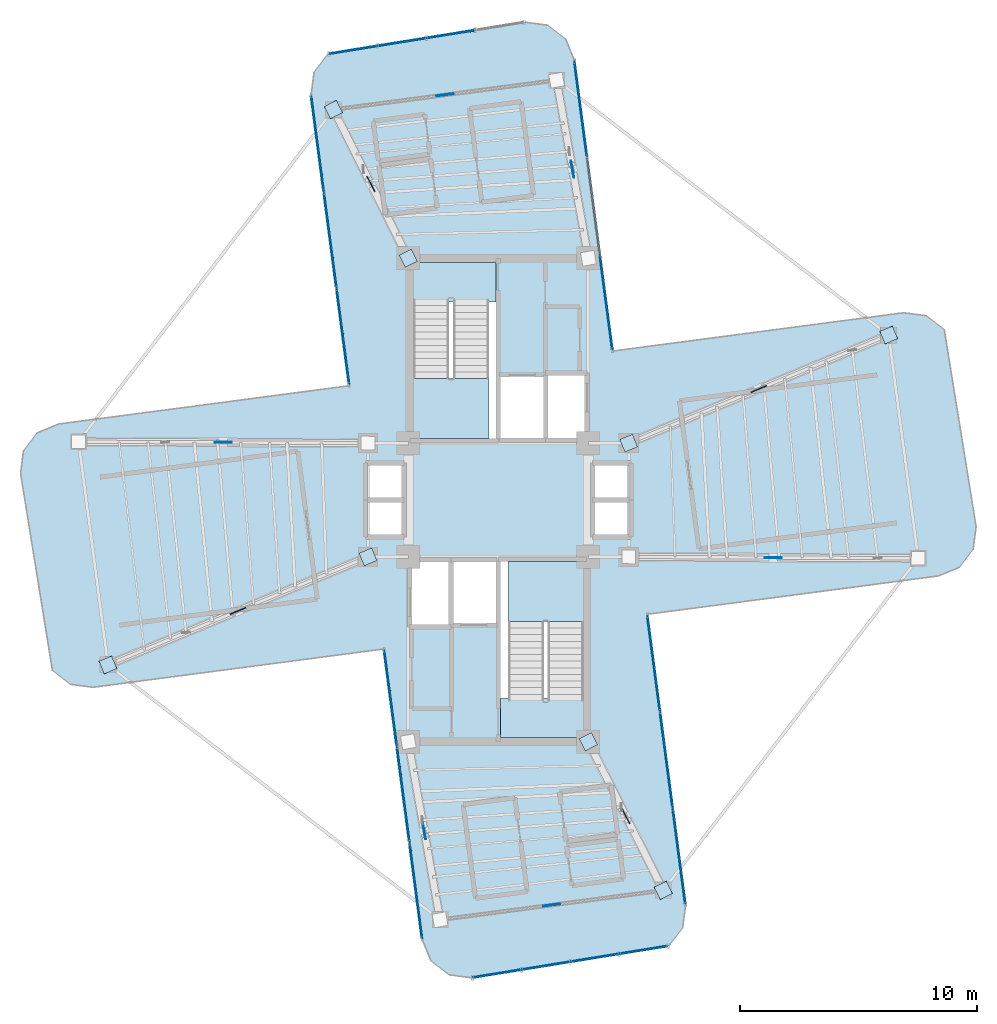
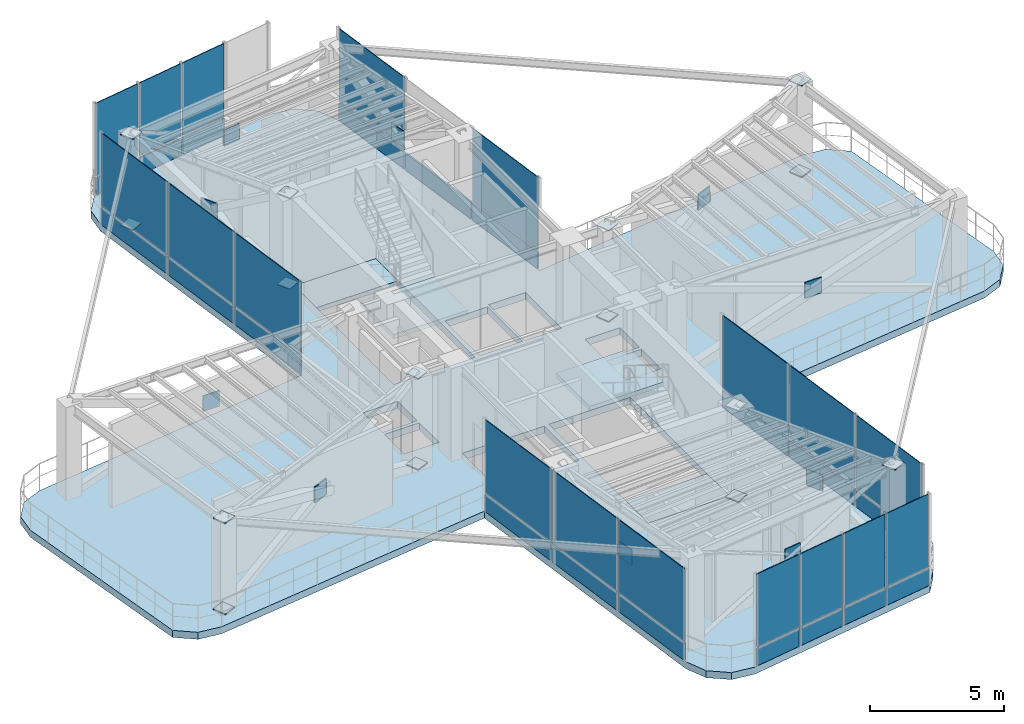
# One storey, part 11 of 17: 63 plates, 5 slabs, 8 elements without a shape of their own.
"""IFC4 building model written with IfcOpenShell, lengths in metres."""

from ifc_helpers import new_model, si_unit, direction, frame, origin, origin_2d, place, context, subcontext, project, spatial, polyline, rectangle, outline, extrude, source, transform, mapped, material, layer, layer_set, type_object, element, aggregate, save


model = new_model("IFC4")

# Units and contexts
model_context = context("Model", 3, precision=1e-05, world=origin(), true_north=direction((0.0, 1.0)))
body_context = subcontext(model_context, "Body", "Model", "MODEL_VIEW")
ifc_project = project(units=[si_unit("LENGTHUNIT", "METRE"), si_unit("AREAUNIT", "SQUARE_METRE"), si_unit("VOLUMEUNIT", "CUBIC_METRE"), si_unit("PLANEANGLEUNIT", "RADIAN"), si_unit("MASSUNIT", "GRAM", prefix="KILO")], contexts=[model_context])

# Site, building, storey
site_placement = place(None, origin())
site = spatial("IfcSite", under=ifc_project, at=site_placement, CompositionType="ELEMENT")
building_placement = place(site_placement, origin())
building = spatial("IfcBuilding", under=site, at=building_placement, Name="Sahyath Konkavel Grand Hotel", CompositionType="ELEMENT")
storey_placement = place(building_placement, frame((0.0, 0.0, 264.60009765625)))
storey = spatial("IfcBuildingStorey", under=building, at=storey_placement, Name="L74", CompositionType="ELEMENT", Elevation=264.60009765625)

# Slab
ifc_material_1 = material(Name="Concrete C50/60", Category="concrete")
ifc_layer_1 = layer(ifc_material_1, 0.320068359375)
ifc_layer_set_1 = layer_set([ifc_layer_1], Name="Concrete C50/60")
slab_type_1 = type_object("IfcSlabType", Name="SLB-320", PredefinedType="FLOOR", material=ifc_layer_set_1)
slab_1_placement = place(storey_placement, frame((0.0, 0.0, -0.320068359375)))
element("IfcSlab", 1, at=slab_1_placement, inside=storey, type_object=slab_type_1, Name="L74 Structural Floor Slab", PredefinedType="FLOOR", context=body_context, shape_type="SweptSolid", body=[
    extrude(outline(polyline([(6.282958984375, -4.821044921875), (18.56689453125, -3.203857421875), (19.451904296875, -2.83740234375), (20.03466796875, -2.07763671875), (20.15966796875, -1.12841796875), (18.814208984375, 7.1923828125), (18.0546875, 7.775390625), (17.10498046875, 7.900390625), (4.821044921875, 6.282958984375), (3.203857421875, 18.56689453125), (2.83740234375, 19.451904296875), (2.07763671875, 20.03466796875), (1.12841796875, 20.15966796875), (-7.1923828125, 18.814208984375), (-7.775390625, 18.0546875), (-7.900390625, 17.10498046875), (-6.282958984375, 4.821044921875), (-18.56689453125, 3.203857421875), (-19.451904296875, 2.83740234375), (-20.03466796875, 2.07763671875), (-20.15966796875, 1.12841796875), (-18.814208984375, -7.1923828125), (-18.0546875, -7.775390625), (-17.10498046875, -7.900390625), (-4.821044921875, -6.282958984375), (-3.203857421875, -18.56689453125), (-2.83740234375, -19.451904296875), (-2.07763671875, -20.03466796875), (-1.12841796875, -20.15966796875), (7.1923828125, -18.814208984375), (7.775390625, -18.0546875), (7.900390625, -17.10498046875), (6.282958984375, -4.821044921875)]), holes=[polyline([(-3.6201171875, 2.580078125), (-0.10009765625, 2.580078125), (-0.10009765625, 10.02001953125), (-3.6201171875, 10.02001953125), (-3.6201171875, 2.580078125)]), polyline([(0.10009765625, -10.02001953125), (3.6201171875, -10.02001953125), (3.6201171875, -2.580078125), (0.10009765625, -2.580078125), (0.10009765625, -10.02001953125)]), polyline([(0.10009765625, 2.60009765625), (1.949951171875, 2.60009765625), (1.949951171875, 5.199951171875), (0.10009765625, 5.199951171875), (0.10009765625, 2.60009765625)]), polyline([(-1.949951171875, -5.199951171875), (-0.10009765625, -5.199951171875), (-0.10009765625, -2.60009765625), (-1.949951171875, -2.60009765625), (-1.949951171875, -5.199951171875)]), polyline([(2.050048828125, 2.60009765625), (3.64990234375, 2.60009765625), (3.64990234375, 5.300048828125), (2.050048828125, 5.300048828125), (2.050048828125, 2.60009765625)]), polyline([(-3.64990234375, -5.300048828125), (-2.050048828125, -5.300048828125), (-2.050048828125, -2.60009765625), (-3.64990234375, -2.60009765625), (-3.64990234375, -5.300048828125)]), polyline([(4.050048828125, 0.080078125), (5.550048828125, 0.080078125), (5.550048828125, 1.5400390625), (4.050048828125, 1.5400390625), (4.050048828125, 0.080078125)]), polyline([(4.050048828125, -1.5400390625), (5.550048828125, -1.5400390625), (5.550048828125, -0.080078125), (4.050048828125, -0.080078125), (4.050048828125, -1.5400390625)]), polyline([(-5.550048828125, 0.080078125), (-4.050048828125, 0.080078125), (-4.050048828125, 1.5400390625), (-5.550048828125, 1.5400390625), (-5.550048828125, 0.080078125)]), polyline([(-5.550048828125, -1.5400390625), (-4.050048828125, -1.5400390625), (-4.050048828125, -0.080078125), (-5.550048828125, -0.080078125), (-5.550048828125, -1.5400390625)])]), origin(), (0.0, 0.0, 1.0), 0.320068359375),
])

# Stair, slab
ifc_material_2 = material(Name="Concrete C40/50", Category="concrete")
stair_type = type_object("IfcStairType", Name="STR-ST16-450", PredefinedType="HALF_TURN_STAIR", material=ifc_material_2)
stair_1_placement = place(storey_placement, origin())
stair_1 = element("IfcStair", 2, at=stair_1_placement, inside=storey, type_object=stair_type, Name="L74 North Core Smokeproof Exit Stair ST-1", PredefinedType="HALF_TURN_STAIR")
ifc_layer_2 = layer(ifc_material_2, 0.199951171875)
ifc_layer_set_2 = layer_set([ifc_layer_2], Name="Concrete C40/50")
slab_type_2 = type_object("IfcSlabType", Name="SLB-STAIR-LND", PredefinedType="LANDING", material=ifc_layer_set_2)
slab_2_placement = place(storey_placement, frame((0.0, 0.0, 2.0498046875)))
slab_2 = element("IfcSlab", 3, at=slab_2_placement, type_object=slab_type_2, Name="ST-1 landing 1", PredefinedType="LANDING", context=body_context, shape_type="SweptSolid", body=[
    extrude(outline(polyline([(-3.60009765625, 5.1201171875), (-3.60009765625, 2.60009765625), (-0.39990234375, 2.60009765625), (-0.39990234375, 5.1201171875), (-3.60009765625, 5.1201171875)])), origin(), (0.0, 0.0, 1.0), 0.2001953125),
])
aggregate(stair_1, [slab_2])

stair_2_placement = place(storey_placement, origin())
stair_2 = element("IfcStair", 4, at=stair_2_placement, inside=storey, type_object=stair_type, Name="L74 South Core Smokeproof Exit Stair ST-2", PredefinedType="HALF_TURN_STAIR")
slab_3_placement = place(storey_placement, frame((0.0, 0.0, 2.0498046875)))
slab_3 = element("IfcSlab", 5, at=slab_3_placement, type_object=slab_type_2, Name="ST-2 landing 1", PredefinedType="LANDING", context=body_context, shape_type="SweptSolid", body=[
    extrude(outline(polyline([(3.60009765625, -5.1201171875), (3.60009765625, -2.60009765625), (0.39990234375, -2.60009765625), (0.39990234375, -5.1201171875), (3.60009765625, -5.1201171875)])), origin(), (0.0, 0.0, 1.0), 0.2001953125),
])
aggregate(stair_2, [slab_3])

# Slabs
slab_4_placement = place(storey_placement, frame((0.0, 0.0, -0.2001953125)))
element("IfcSlab", 6, at=slab_4_placement, inside=storey, type_object=slab_type_2, Name="L74 Stair ST-1 Floor Landing Slab", PredefinedType="LANDING", context=body_context, shape_type="SweptSolid", body=[
    extrude(outline(polyline([(-3.6201171875, 8.35009765625), (-0.10009765625, 8.35009765625), (-0.10009765625, 10.02001953125), (-3.6201171875, 10.02001953125), (-3.6201171875, 8.35009765625)])), origin(), (0.0, 0.0, 1.0), 0.2001953125),
])
slab_5_placement = place(storey_placement, frame((0.0, 0.0, -0.2001953125)))
element("IfcSlab", 7, at=slab_5_placement, inside=storey, type_object=slab_type_2, Name="L74 Stair ST-2 Floor Landing Slab", PredefinedType="LANDING", context=body_context, shape_type="SweptSolid", body=[
    extrude(outline(polyline([(0.10009765625, -10.02001953125), (3.6201171875, -10.02001953125), (3.6201171875, -8.35009765625), (0.10009765625, -8.35009765625), (0.10009765625, -10.02001953125)])), origin(), (0.0, 0.0, 1.0), 0.2001953125),
])

# Plates
ifc_material_3 = material(Name="Steel E450", Category="steel")
plate_type_1 = type_object("IfcPlateType", Name="GUSSET-NODE-40", PredefinedType="USERDEFINED", material=ifc_material_3)
shared_shape_1 = source(origin(), body_context, "Body", "SweptSolid", [
    extrude(rectangle(XDim=0.719970703125, YDim=0.0400390625, at=origin_2d()), origin(), (0.0, 0.0, 1.0), 0.719970703125),
])
for number, where, z_axis, x_axis, name in (
    (8, (11.606201171875, -2.429443359375, 1.77001953125), (0.0, 0.0, 1.0), (0.999988313528, -0.004834543195, 0.0), "L74 Core Outrigger Truss EA X-Crossing Node Gusset Plate"),
    (9, (10.986328125, 4.6796875, 1.77001953125), (0.0, 0.0, 1.0), (0.923444797501, 0.383731293965, 0.0), "L74 Core Outrigger Truss EB X-Crossing Node Gusset Plate"),
    (10, (3.129638671875, 13.956298828125, 1.77001953125), (0.0, 0.0, 1.0), (-0.175710371841, 0.984441905461, 0.0), "L74 Core Outrigger Truss NA X-Crossing Node Gusset Plate"),
    (11, (-5.3798828125, 13.336181640625, 1.77001953125), (0.0, 0.0, 1.0), (-0.449864644275, 0.893096748304, 0.0), "L74 Core Outrigger Truss NB X-Crossing Node Gusset Plate"),
    (12, (-11.606201171875, 2.429443359375, 1.77001953125), (0.0, 0.0, 1.0), (-0.999988313528, 0.004834543195, 0.0), "L74 Core Outrigger Truss WA X-Crossing Node Gusset Plate"),
    (13, (-10.986328125, -4.6796875, 1.77001953125), (0.0, 0.0, 1.0), (-0.923444797501, -0.383731293965, 0.0), "L74 Core Outrigger Truss WB X-Crossing Node Gusset Plate"),
    (14, (-3.129638671875, -13.956298828125, 1.77001953125), (0.0, 0.0, 1.0), (0.175710371841, -0.984441905461, 0.0), "L74 Core Outrigger Truss SA X-Crossing Node Gusset Plate"),
    (15, (5.3798828125, -13.336181640625, 1.77001953125), (0.0, 0.0, 1.0), (0.449864644275, -0.893096748304, 0.0), "L74 Core Outrigger Truss SB X-Crossing Node Gusset Plate"),
    (16, (-2.250244140625, 17.092529296875, 1.77001953125), (0.0, 0.0, 1.0), (-0.991444861374, -0.13052619222, 0.0), "L74 Perimeter Belt Truss TIP-N X-Crossing Node Gusset Plate"),
    (17, (2.250244140625, -17.092529296875, 1.77001953125), (0.0, 0.0, 1.0), (0.991444861374, 0.13052619222, 0.0), "L74 Perimeter Belt Truss TIP-S X-Crossing Node Gusset Plate"),
):
    element("IfcPlate", number, at=place(storey_placement, frame(where, z_axis=z_axis, x_axis=x_axis)), inside=storey, type_object=plate_type_1, Name=name, ObjectType="GUSSET_PLATE", PredefinedType="USERDEFINED", context=body_context, shape_type="MappedRepresentation", body=[
        mapped(shared_shape_1, transform((0.0, 0.0, 0.0), scale=1.0)),
    ])
plate_type_2 = type_object("IfcPlateType", Name="GUSSET-END-35", PredefinedType="USERDEFINED", material=ifc_material_3)
shared_shape_2 = source(origin(), body_context, "Body", "SweptSolid", [
    extrude(rectangle(XDim=0.580078125, YDim=0.580078125, at=origin_2d()), origin(), (0.0, 0.0, 1.0), 0.044921875),
])
for number, where, z_axis, x_axis, name in (
    (18, (5.5, 2.39990234375, 0.02734375), (0.0, 0.0, 1.0), (0.923444797501, 0.383731293965, 0.0), "L74 Core Outrigger Truss EB Cast-In Embed Gusset Plate BL"),
    (19, (5.5, 2.39990234375, 4.1875), (0.0, 0.0, 1.0), (0.923444797501, 0.383731293965, 0.0), "L74 Core Outrigger Truss EB Cast-In Embed Gusset Plate TL"),
    (20, (16.472412109375, 6.959716796875, 0.02734375), (0.0, 0.0, 1.0), (0.923444797501, 0.383731293965, 0.0), "L74 Core Outrigger Truss EB Cast-In Embed Gusset Plate BR"),
    (21, (16.472412109375, 6.959716796875, 4.1875), (0.0, 0.0, 1.0), (0.923444797501, 0.383731293965, 0.0), "L74 Core Outrigger Truss EB Cast-In Embed Gusset Plate TR"),
    (22, (-3.800048828125, 10.199951171875, 0.02734375), (0.0, 0.0, 1.0), (-0.449864644275, 0.893096748304, 0.0), "L74 Core Outrigger Truss NB Cast-In Embed Gusset Plate BL"),
    (23, (-3.800048828125, 10.199951171875, 4.1875), (0.0, 0.0, 1.0), (-0.449864644275, 0.893096748304, 0.0), "L74 Core Outrigger Truss NB Cast-In Embed Gusset Plate TL"),
    (24, (-6.959716796875, 16.472412109375, 0.02734375), (0.0, 0.0, 1.0), (-0.449864644275, 0.893096748304, 0.0), "L74 Core Outrigger Truss NB Cast-In Embed Gusset Plate BR"),
    (25, (-6.959716796875, 16.472412109375, 4.1875), (0.0, 0.0, 1.0), (-0.449864644275, 0.893096748304, 0.0), "L74 Core Outrigger Truss NB Cast-In Embed Gusset Plate TR"),
    (26, (-5.5, -2.39990234375, 0.02734375), (0.0, 0.0, 1.0), (-0.923444797501, -0.383731293965, 0.0), "L74 Core Outrigger Truss WB Cast-In Embed Gusset Plate BL"),
    (27, (-5.5, -2.39990234375, 4.1875), (0.0, 0.0, 1.0), (-0.923444797501, -0.383731293965, 0.0), "L74 Core Outrigger Truss WB Cast-In Embed Gusset Plate TL"),
    (28, (-16.472412109375, -6.959716796875, 0.02734375), (0.0, 0.0, 1.0), (-0.923444797501, -0.383731293965, 0.0), "L74 Core Outrigger Truss WB Cast-In Embed Gusset Plate BR"),
    (29, (-16.472412109375, -6.959716796875, 4.1875), (0.0, 0.0, 1.0), (-0.923444797501, -0.383731293965, 0.0), "L74 Core Outrigger Truss WB Cast-In Embed Gusset Plate TR"),
    (30, (3.800048828125, -10.199951171875, 0.02734375), (0.0, 0.0, 1.0), (0.449864644275, -0.893096748304, 0.0), "L74 Core Outrigger Truss SB Cast-In Embed Gusset Plate BL"),
    (31, (3.800048828125, -10.199951171875, 4.1875), (0.0, 0.0, 1.0), (0.449864644275, -0.893096748304, 0.0), "L74 Core Outrigger Truss SB Cast-In Embed Gusset Plate TL"),
    (32, (6.959716796875, -16.472412109375, 0.02734375), (0.0, 0.0, 1.0), (0.449864644275, -0.893096748304, 0.0), "L74 Core Outrigger Truss SB Cast-In Embed Gusset Plate BR"),
    (33, (6.959716796875, -16.472412109375, 4.1875), (0.0, 0.0, 1.0), (0.449864644275, -0.893096748304, 0.0), "L74 Core Outrigger Truss SB Cast-In Embed Gusset Plate TR"),
):
    element("IfcPlate", number, at=place(storey_placement, frame(where, z_axis=z_axis, x_axis=x_axis)), inside=storey, type_object=plate_type_2, Name=name, ObjectType="GUSSET_PLATE", PredefinedType="USERDEFINED", context=body_context, shape_type="MappedRepresentation", body=[
        mapped(shared_shape_2, transform((0.0, 0.0, 0.0), scale=1.0)),
    ])

# Curtain wall, plates
ifc_material_4 = material(Name="Anodised Bronze Aluminium & Low-E Glazing", Category="aluminium")
curtain_wall_type = type_object("IfcCurtainWallType", Name="CW-SKYLOBBY", PredefinedType="NOTDEFINED", material=ifc_material_4)
curtain_wall_1_placement = place(storey_placement, origin())
curtain_wall_1 = element("IfcCurtainWall", 34, at=curtain_wall_1_placement, inside=storey, type_object=curtain_wall_type, Name="L74 Unitised Curtain Wall RF12", PredefinedType="NOTDEFINED")
ifc_material_5 = material(Name="Warm Buff Sandstone Cladding", Category="masonry")
ifc_layer_3 = layer(ifc_material_5, 0.074951171875)
ifc_layer_set_3 = layer_set([ifc_layer_3], Name="Warm Buff Sandstone Cladding")
plate_type_3 = type_object("IfcPlateType", Name="PNL-SPANDREL-STONE", PredefinedType="SHEET", material=ifc_layer_set_3)
shared_shape_3 = source(origin(), body_context, "Body", "SweptSolid", [
    extrude(rectangle(XDim=2.007080078125, YDim=0.074951171875, at=origin_2d()), origin(), (0.0, 0.0, 1.0), 0.77001953125),
])
plate_1_placement = place(storey_placement, frame((-2.001708984375, 19.653564453125, 0.039794921875), z_axis=(0.0, 0.0, 1.0), x_axis=(-0.987178088041, -0.159622750546, 0.0)))
plate_1 = element("IfcPlate", 35, at=plate_1_placement, type_object=plate_type_3, Name="L74 Sandstone Relief Spandrel Panel RF12-1", PredefinedType="SHEET", context=body_context, shape_type="MappedRepresentation", body=[
    mapped(shared_shape_3, transform((0.0, 0.0, 0.0), scale=1.0)),
])
plate_2_placement = place(storey_placement, frame((-4.062255859375, 19.3203125, 0.039794921875), z_axis=(0.0, 0.0, 1.0), x_axis=(-0.987178088041, -0.159622750546, 0.0)))
plate_2 = element("IfcPlate", 36, at=plate_2_placement, type_object=plate_type_3, Name="L74 Sandstone Relief Spandrel Panel RF12-2", PredefinedType="SHEET", context=body_context, shape_type="MappedRepresentation", body=[
    mapped(shared_shape_3, transform((0.0, 0.0, 0.0), scale=1.0)),
])
plate_3_placement = place(storey_placement, frame((-6.12255859375, 18.9873046875, 0.039794921875), z_axis=(0.0, 0.0, 1.0), x_axis=(-0.987178088041, -0.159622750546, 0.0)))
plate_3 = element("IfcPlate", 37, at=plate_3_placement, type_object=plate_type_3, Name="L74 Sandstone Relief Spandrel Panel RF12-3", PredefinedType="SHEET", context=body_context, shape_type="MappedRepresentation", body=[
    mapped(shared_shape_3, transform((0.0, 0.0, 0.0), scale=1.0)),
])

curtain_wall_2_placement = place(storey_placement, origin())
curtain_wall_2 = element("IfcCurtainWall", 38, at=curtain_wall_2_placement, inside=storey, type_object=curtain_wall_type, Name="L74 Unitised Curtain Wall RF28", PredefinedType="NOTDEFINED")
plate_4_placement = place(storey_placement, frame((-0.05859375, -19.98681640625, 0.039794921875), z_axis=(0.0, 0.0, 1.0), x_axis=(0.987178088041, 0.159622750546, 0.0)))
plate_4 = element("IfcPlate", 39, at=plate_4_placement, type_object=plate_type_3, Name="L74 Sandstone Relief Spandrel Panel RF28-0", PredefinedType="SHEET", context=body_context, shape_type="MappedRepresentation", body=[
    mapped(shared_shape_3, transform((0.0, 0.0, 0.0), scale=1.0)),
])
plate_5_placement = place(storey_placement, frame((2.001708984375, -19.653564453125, 0.039794921875), z_axis=(0.0, 0.0, 1.0), x_axis=(0.987178088041, 0.159622750546, 0.0)))
plate_5 = element("IfcPlate", 40, at=plate_5_placement, type_object=plate_type_3, Name="L74 Sandstone Relief Spandrel Panel RF28-1", PredefinedType="SHEET", context=body_context, shape_type="MappedRepresentation", body=[
    mapped(shared_shape_3, transform((0.0, 0.0, 0.0), scale=1.0)),
])
plate_6_placement = place(storey_placement, frame((4.062255859375, -19.3203125, 0.039794921875), z_axis=(0.0, 0.0, 1.0), x_axis=(0.987178088041, 0.159622750546, 0.0)))
plate_6 = element("IfcPlate", 41, at=plate_6_placement, type_object=plate_type_3, Name="L74 Sandstone Relief Spandrel Panel RF28-2", PredefinedType="SHEET", context=body_context, shape_type="MappedRepresentation", body=[
    mapped(shared_shape_3, transform((0.0, 0.0, 0.0), scale=1.0)),
])
plate_7_placement = place(storey_placement, frame((6.12255859375, -18.9873046875, 0.039794921875), z_axis=(0.0, 0.0, 1.0), x_axis=(0.987178088041, 0.159622750546, 0.0)))
plate_7 = element("IfcPlate", 42, at=plate_7_placement, type_object=plate_type_3, Name="L74 Sandstone Relief Spandrel Panel RF28-3", PredefinedType="SHEET", context=body_context, shape_type="MappedRepresentation", body=[
    mapped(shared_shape_3, transform((0.0, 0.0, 0.0), scale=1.0)),
])

curtain_wall_3_placement = place(storey_placement, origin())
curtain_wall_3 = element("IfcCurtainWall", 43, at=curtain_wall_3_placement, inside=storey, type_object=curtain_wall_type, Name="L74 Unitised Curtain Wall RF8", PredefinedType="NOTDEFINED")
shared_shape_4 = source(origin(), body_context, "Body", "SweptSolid", [
    extrude(rectangle(XDim=4.023193359375, YDim=0.074951171875, at=origin_2d()), origin(), (0.0, 0.0, 1.0), 0.77001953125),
])
plate_8_placement = place(storey_placement, frame((4.548095703125, 8.356689453125, 0.039794921875), z_axis=(0.0, 0.0, 1.0), x_axis=(-0.13052619222, 0.991444861374, 0.0)))
plate_8 = element("IfcPlate", 44, at=plate_8_placement, type_object=plate_type_3, Name="L74 Sandstone Relief Spandrel Panel RF8-0", PredefinedType="SHEET", context=body_context, shape_type="MappedRepresentation", body=[
    mapped(shared_shape_4, transform((0.0, 0.0, 0.0), scale=1.0)),
])
plate_9_placement = place(storey_placement, frame((4.012451171875, 12.425048828125, 0.039794921875), z_axis=(0.0, 0.0, 1.0), x_axis=(-0.13052619222, 0.991444861374, 0.0)))
plate_9 = element("IfcPlate", 45, at=plate_9_placement, type_object=plate_type_3, Name="L74 Sandstone Relief Spandrel Panel RF8-1", PredefinedType="SHEET", context=body_context, shape_type="MappedRepresentation", body=[
    mapped(shared_shape_4, transform((0.0, 0.0, 0.0), scale=1.0)),
])
plate_10_placement = place(storey_placement, frame((3.476806640625, 16.4931640625, 0.039794921875), z_axis=(0.0, 0.0, 1.0), x_axis=(-0.13052619222, 0.991444861374, 0.0)))
plate_10 = element("IfcPlate", 46, at=plate_10_placement, type_object=plate_type_3, Name="L74 Sandstone Relief Spandrel Panel RF8-2", PredefinedType="SHEET", context=body_context, shape_type="MappedRepresentation", body=[
    mapped(shared_shape_4, transform((0.0, 0.0, 0.0), scale=1.0)),
])

curtain_wall_4_placement = place(storey_placement, origin())
curtain_wall_4 = element("IfcCurtainWall", 47, at=curtain_wall_4_placement, inside=storey, type_object=curtain_wall_type, Name="L74 Unitised Curtain Wall RF15", PredefinedType="NOTDEFINED")
plate_11_placement = place(storey_placement, frame((-7.627197265625, 15.03125, 0.039794921875), z_axis=(0.0, 0.0, 1.0), x_axis=(0.13052619222, -0.991444861374, 0.0)))
plate_11 = element("IfcPlate", 48, at=plate_11_placement, type_object=plate_type_3, Name="L74 Sandstone Relief Spandrel Panel RF15-0", PredefinedType="SHEET", context=body_context, shape_type="MappedRepresentation", body=[
    mapped(shared_shape_4, transform((0.0, 0.0, 0.0), scale=1.0)),
])
plate_12_placement = place(storey_placement, frame((-7.091552734375, 10.963134765625, 0.039794921875), z_axis=(0.0, 0.0, 1.0), x_axis=(0.13052619222, -0.991444861374, 0.0)))
plate_12 = element("IfcPlate", 49, at=plate_12_placement, type_object=plate_type_3, Name="L74 Sandstone Relief Spandrel Panel RF15-1", PredefinedType="SHEET", context=body_context, shape_type="MappedRepresentation", body=[
    mapped(shared_shape_4, transform((0.0, 0.0, 0.0), scale=1.0)),
])
plate_13_placement = place(storey_placement, frame((-6.555908203125, 6.89501953125, 0.039794921875), z_axis=(0.0, 0.0, 1.0), x_axis=(0.13052619222, -0.991444861374, 0.0)))
plate_13 = element("IfcPlate", 50, at=plate_13_placement, type_object=plate_type_3, Name="L74 Sandstone Relief Spandrel Panel RF15-2", PredefinedType="SHEET", context=body_context, shape_type="MappedRepresentation", body=[
    mapped(shared_shape_4, transform((0.0, 0.0, 0.0), scale=1.0)),
])

curtain_wall_5_placement = place(storey_placement, origin())
curtain_wall_5 = element("IfcCurtainWall", 51, at=curtain_wall_5_placement, inside=storey, type_object=curtain_wall_type, Name="L74 Unitised Curtain Wall RF24", PredefinedType="NOTDEFINED")
plate_14_placement = place(storey_placement, frame((-4.548095703125, -8.356689453125, 0.039794921875), z_axis=(0.0, 0.0, 1.0), x_axis=(0.13052619222, -0.991444861374, 0.0)))
plate_14 = element("IfcPlate", 52, at=plate_14_placement, type_object=plate_type_3, Name="L74 Sandstone Relief Spandrel Panel RF24-0", PredefinedType="SHEET", context=body_context, shape_type="MappedRepresentation", body=[
    mapped(shared_shape_4, transform((0.0, 0.0, 0.0), scale=1.0)),
])
plate_15_placement = place(storey_placement, frame((-4.012451171875, -12.425048828125, 0.039794921875), z_axis=(0.0, 0.0, 1.0), x_axis=(0.13052619222, -0.991444861374, 0.0)))
plate_15 = element("IfcPlate", 53, at=plate_15_placement, type_object=plate_type_3, Name="L74 Sandstone Relief Spandrel Panel RF24-1", PredefinedType="SHEET", context=body_context, shape_type="MappedRepresentation", body=[
    mapped(shared_shape_4, transform((0.0, 0.0, 0.0), scale=1.0)),
])
plate_16_placement = place(storey_placement, frame((-3.476806640625, -16.4931640625, 0.039794921875), z_axis=(0.0, 0.0, 1.0), x_axis=(0.13052619222, -0.991444861374, 0.0)))
plate_16 = element("IfcPlate", 54, at=plate_16_placement, type_object=plate_type_3, Name="L74 Sandstone Relief Spandrel Panel RF24-2", PredefinedType="SHEET", context=body_context, shape_type="MappedRepresentation", body=[
    mapped(shared_shape_4, transform((0.0, 0.0, 0.0), scale=1.0)),
])

curtain_wall_6_placement = place(storey_placement, origin())
curtain_wall_6 = element("IfcCurtainWall", 55, at=curtain_wall_6_placement, inside=storey, type_object=curtain_wall_type, Name="L74 Unitised Curtain Wall RF31", PredefinedType="NOTDEFINED")
plate_17_placement = place(storey_placement, frame((7.627197265625, -15.03125, 0.039794921875), z_axis=(0.0, 0.0, 1.0), x_axis=(-0.13052619222, 0.991444861374, 0.0)))
plate_17 = element("IfcPlate", 56, at=plate_17_placement, type_object=plate_type_3, Name="L74 Sandstone Relief Spandrel Panel RF31-0", PredefinedType="SHEET", context=body_context, shape_type="MappedRepresentation", body=[
    mapped(shared_shape_4, transform((0.0, 0.0, 0.0), scale=1.0)),
])
plate_18_placement = place(storey_placement, frame((7.091552734375, -10.963134765625, 0.039794921875), z_axis=(0.0, 0.0, 1.0), x_axis=(-0.13052619222, 0.991444861374, 0.0)))
plate_18 = element("IfcPlate", 57, at=plate_18_placement, type_object=plate_type_3, Name="L74 Sandstone Relief Spandrel Panel RF31-1", PredefinedType="SHEET", context=body_context, shape_type="MappedRepresentation", body=[
    mapped(shared_shape_4, transform((0.0, 0.0, 0.0), scale=1.0)),
])
plate_19_placement = place(storey_placement, frame((6.555908203125, -6.89501953125, 0.039794921875), z_axis=(0.0, 0.0, 1.0), x_axis=(-0.13052619222, 0.991444861374, 0.0)))
plate_19 = element("IfcPlate", 58, at=plate_19_placement, type_object=plate_type_3, Name="L74 Sandstone Relief Spandrel Panel RF31-2", PredefinedType="SHEET", context=body_context, shape_type="MappedRepresentation", body=[
    mapped(shared_shape_4, transform((0.0, 0.0, 0.0), scale=1.0)),
])

# Plate
ifc_material_6 = material(Name="Warm Buff Sandstone Perforated Cladding", Category="masonry")
ifc_layer_4 = layer(ifc_material_6, 0.090087890625)
ifc_layer_set_4 = layer_set([ifc_layer_4], Name="Warm Buff Sandstone Perforated Cladding")
plate_type_4 = type_object("IfcPlateType", Name="PNL-CROWN-LOUVRE", PredefinedType="SHEET", material=ifc_layer_set_4)
shared_shape_5 = source(origin(), body_context, "Body", "SweptSolid", [
    extrude(rectangle(XDim=4.023193359375, YDim=0.035888671875, at=origin_2d()), origin(), (0.0, 0.0, 1.0), 3.330078125),
])
plate_20_placement = place(storey_placement, frame((4.548095703125, 8.356689453125, 0.889892578125), z_axis=(0.0, 0.0, 1.0), x_axis=(-0.13052619222, 0.991444861374, 0.0)))
plate_20 = element("IfcPlate", 59, at=plate_20_placement, type_object=plate_type_4, Name="L74 Acoustic Plant Louvre Screen RF8-0", PredefinedType="SHEET", context=body_context, shape_type="MappedRepresentation", body=[
    mapped(shared_shape_5, transform((0.0, 0.0, 0.0), scale=1.0)),
])

plate_21_placement = place(storey_placement, frame((3.476806640625, 16.4931640625, 0.889892578125), z_axis=(0.0, 0.0, 1.0), x_axis=(-0.13052619222, 0.991444861374, 0.0)))
plate_21 = element("IfcPlate", 60, at=plate_21_placement, type_object=plate_type_4, Name="L74 Acoustic Plant Louvre Screen RF8-2", PredefinedType="SHEET", context=body_context, shape_type="MappedRepresentation", body=[
    mapped(shared_shape_5, transform((0.0, 0.0, 0.0), scale=1.0)),
])

aggregate(curtain_wall_3, [plate_8, plate_20, plate_9, plate_10, plate_21])

plate_22_placement = place(storey_placement, frame((-7.627197265625, 15.03125, 0.889892578125), z_axis=(0.0, 0.0, 1.0), x_axis=(0.13052619222, -0.991444861374, 0.0)))
plate_22 = element("IfcPlate", 61, at=plate_22_placement, type_object=plate_type_4, Name="L74 Acoustic Plant Louvre Screen RF15-0", PredefinedType="SHEET", context=body_context, shape_type="MappedRepresentation", body=[
    mapped(shared_shape_5, transform((0.0, 0.0, 0.0), scale=1.0)),
])

plate_23_placement = place(storey_placement, frame((-7.091552734375, 10.963134765625, 0.889892578125), z_axis=(0.0, 0.0, 1.0), x_axis=(0.13052619222, -0.991444861374, 0.0)))
plate_23 = element("IfcPlate", 62, at=plate_23_placement, type_object=plate_type_4, Name="L74 Acoustic Plant Louvre Screen RF15-1", PredefinedType="SHEET", context=body_context, shape_type="MappedRepresentation", body=[
    mapped(shared_shape_5, transform((0.0, 0.0, 0.0), scale=1.0)),
])

plate_24_placement = place(storey_placement, frame((-6.555908203125, 6.89501953125, 0.889892578125), z_axis=(0.0, 0.0, 1.0), x_axis=(0.13052619222, -0.991444861374, 0.0)))
plate_24 = element("IfcPlate", 63, at=plate_24_placement, type_object=plate_type_4, Name="L74 Acoustic Plant Louvre Screen RF15-2", PredefinedType="SHEET", context=body_context, shape_type="MappedRepresentation", body=[
    mapped(shared_shape_5, transform((0.0, 0.0, 0.0), scale=1.0)),
])

aggregate(curtain_wall_4, [plate_11, plate_22, plate_12, plate_23, plate_13, plate_24])

plate_25_placement = place(storey_placement, frame((-4.548095703125, -8.356689453125, 0.889892578125), z_axis=(0.0, 0.0, 1.0), x_axis=(0.13052619222, -0.991444861374, 0.0)))
plate_25 = element("IfcPlate", 64, at=plate_25_placement, type_object=plate_type_4, Name="L74 Acoustic Plant Louvre Screen RF24-0", PredefinedType="SHEET", context=body_context, shape_type="MappedRepresentation", body=[
    mapped(shared_shape_5, transform((0.0, 0.0, 0.0), scale=1.0)),
])

plate_26_placement = place(storey_placement, frame((-4.012451171875, -12.425048828125, 0.889892578125), z_axis=(0.0, 0.0, 1.0), x_axis=(0.13052619222, -0.991444861374, 0.0)))
plate_26 = element("IfcPlate", 65, at=plate_26_placement, type_object=plate_type_4, Name="L74 Acoustic Plant Louvre Screen RF24-1", PredefinedType="SHEET", context=body_context, shape_type="MappedRepresentation", body=[
    mapped(shared_shape_5, transform((0.0, 0.0, 0.0), scale=1.0)),
])

plate_27_placement = place(storey_placement, frame((-3.476806640625, -16.4931640625, 0.889892578125), z_axis=(0.0, 0.0, 1.0), x_axis=(0.13052619222, -0.991444861374, 0.0)))
plate_27 = element("IfcPlate", 66, at=plate_27_placement, type_object=plate_type_4, Name="L74 Acoustic Plant Louvre Screen RF24-2", PredefinedType="SHEET", context=body_context, shape_type="MappedRepresentation", body=[
    mapped(shared_shape_5, transform((0.0, 0.0, 0.0), scale=1.0)),
])

aggregate(curtain_wall_5, [plate_14, plate_25, plate_15, plate_26, plate_16, plate_27])

plate_28_placement = place(storey_placement, frame((7.627197265625, -15.03125, 0.889892578125), z_axis=(0.0, 0.0, 1.0), x_axis=(-0.13052619222, 0.991444861374, 0.0)))
plate_28 = element("IfcPlate", 67, at=plate_28_placement, type_object=plate_type_4, Name="L74 Acoustic Plant Louvre Screen RF31-0", PredefinedType="SHEET", context=body_context, shape_type="MappedRepresentation", body=[
    mapped(shared_shape_5, transform((0.0, 0.0, 0.0), scale=1.0)),
])

plate_29_placement = place(storey_placement, frame((7.091552734375, -10.963134765625, 0.889892578125), z_axis=(0.0, 0.0, 1.0), x_axis=(-0.13052619222, 0.991444861374, 0.0)))
plate_29 = element("IfcPlate", 68, at=plate_29_placement, type_object=plate_type_4, Name="L74 Acoustic Plant Louvre Screen RF31-1", PredefinedType="SHEET", context=body_context, shape_type="MappedRepresentation", body=[
    mapped(shared_shape_5, transform((0.0, 0.0, 0.0), scale=1.0)),
])

plate_30_placement = place(storey_placement, frame((6.555908203125, -6.89501953125, 0.889892578125), z_axis=(0.0, 0.0, 1.0), x_axis=(-0.13052619222, 0.991444861374, 0.0)))
plate_30 = element("IfcPlate", 69, at=plate_30_placement, type_object=plate_type_4, Name="L74 Acoustic Plant Louvre Screen RF31-2", PredefinedType="SHEET", context=body_context, shape_type="MappedRepresentation", body=[
    mapped(shared_shape_5, transform((0.0, 0.0, 0.0), scale=1.0)),
])

aggregate(curtain_wall_6, [plate_17, plate_28, plate_18, plate_29, plate_19, plate_30])

shared_shape_6 = source(origin(), body_context, "Body", "SweptSolid", [
    extrude(rectangle(XDim=2.007080078125, YDim=0.035888671875, at=origin_2d()), origin(), (0.0, 0.0, 1.0), 3.330078125),
])
plate_31_placement = place(storey_placement, frame((-2.001708984375, 19.653564453125, 0.889892578125), z_axis=(0.0, 0.0, 1.0), x_axis=(-0.987178088041, -0.159622750546, 0.0)))
plate_31 = element("IfcPlate", 70, at=plate_31_placement, type_object=plate_type_4, Name="L74 Acoustic Plant Louvre Screen RF12-1", PredefinedType="SHEET", context=body_context, shape_type="MappedRepresentation", body=[
    mapped(shared_shape_6, transform((0.0, 0.0, 0.0), scale=1.0)),
])

plate_32_placement = place(storey_placement, frame((-4.062255859375, 19.3203125, 0.889892578125), z_axis=(0.0, 0.0, 1.0), x_axis=(-0.987178088041, -0.159622750546, 0.0)))
plate_32 = element("IfcPlate", 71, at=plate_32_placement, type_object=plate_type_4, Name="L74 Acoustic Plant Louvre Screen RF12-2", PredefinedType="SHEET", context=body_context, shape_type="MappedRepresentation", body=[
    mapped(shared_shape_6, transform((0.0, 0.0, 0.0), scale=1.0)),
])

plate_33_placement = place(storey_placement, frame((-6.12255859375, 18.9873046875, 0.889892578125), z_axis=(0.0, 0.0, 1.0), x_axis=(-0.987178088041, -0.159622750546, 0.0)))
plate_33 = element("IfcPlate", 72, at=plate_33_placement, type_object=plate_type_4, Name="L74 Acoustic Plant Louvre Screen RF12-3", PredefinedType="SHEET", context=body_context, shape_type="MappedRepresentation", body=[
    mapped(shared_shape_6, transform((0.0, 0.0, 0.0), scale=1.0)),
])

aggregate(curtain_wall_1, [plate_1, plate_31, plate_2, plate_32, plate_3, plate_33])

plate_34_placement = place(storey_placement, frame((-0.05859375, -19.98681640625, 0.889892578125), z_axis=(0.0, 0.0, 1.0), x_axis=(0.987178088041, 0.159622750546, 0.0)))
plate_34 = element("IfcPlate", 73, at=plate_34_placement, type_object=plate_type_4, Name="L74 Acoustic Plant Louvre Screen RF28-0", PredefinedType="SHEET", context=body_context, shape_type="MappedRepresentation", body=[
    mapped(shared_shape_6, transform((0.0, 0.0, 0.0), scale=1.0)),
])

plate_35_placement = place(storey_placement, frame((2.001708984375, -19.653564453125, 0.889892578125), z_axis=(0.0, 0.0, 1.0), x_axis=(0.987178088041, 0.159622750546, 0.0)))
plate_35 = element("IfcPlate", 74, at=plate_35_placement, type_object=plate_type_4, Name="L74 Acoustic Plant Louvre Screen RF28-1", PredefinedType="SHEET", context=body_context, shape_type="MappedRepresentation", body=[
    mapped(shared_shape_6, transform((0.0, 0.0, 0.0), scale=1.0)),
])

plate_36_placement = place(storey_placement, frame((4.062255859375, -19.3203125, 0.889892578125), z_axis=(0.0, 0.0, 1.0), x_axis=(0.987178088041, 0.159622750546, 0.0)))
plate_36 = element("IfcPlate", 75, at=plate_36_placement, type_object=plate_type_4, Name="L74 Acoustic Plant Louvre Screen RF28-2", PredefinedType="SHEET", context=body_context, shape_type="MappedRepresentation", body=[
    mapped(shared_shape_6, transform((0.0, 0.0, 0.0), scale=1.0)),
])

plate_37_placement = place(storey_placement, frame((6.12255859375, -18.9873046875, 0.889892578125), z_axis=(0.0, 0.0, 1.0), x_axis=(0.987178088041, 0.159622750546, 0.0)))
plate_37 = element("IfcPlate", 76, at=plate_37_placement, type_object=plate_type_4, Name="L74 Acoustic Plant Louvre Screen RF28-3", PredefinedType="SHEET", context=body_context, shape_type="MappedRepresentation", body=[
    mapped(shared_shape_6, transform((0.0, 0.0, 0.0), scale=1.0)),
])

aggregate(curtain_wall_2, [plate_4, plate_34, plate_5, plate_35, plate_6, plate_36, plate_7, plate_37])

save(model, "model.ifc")
